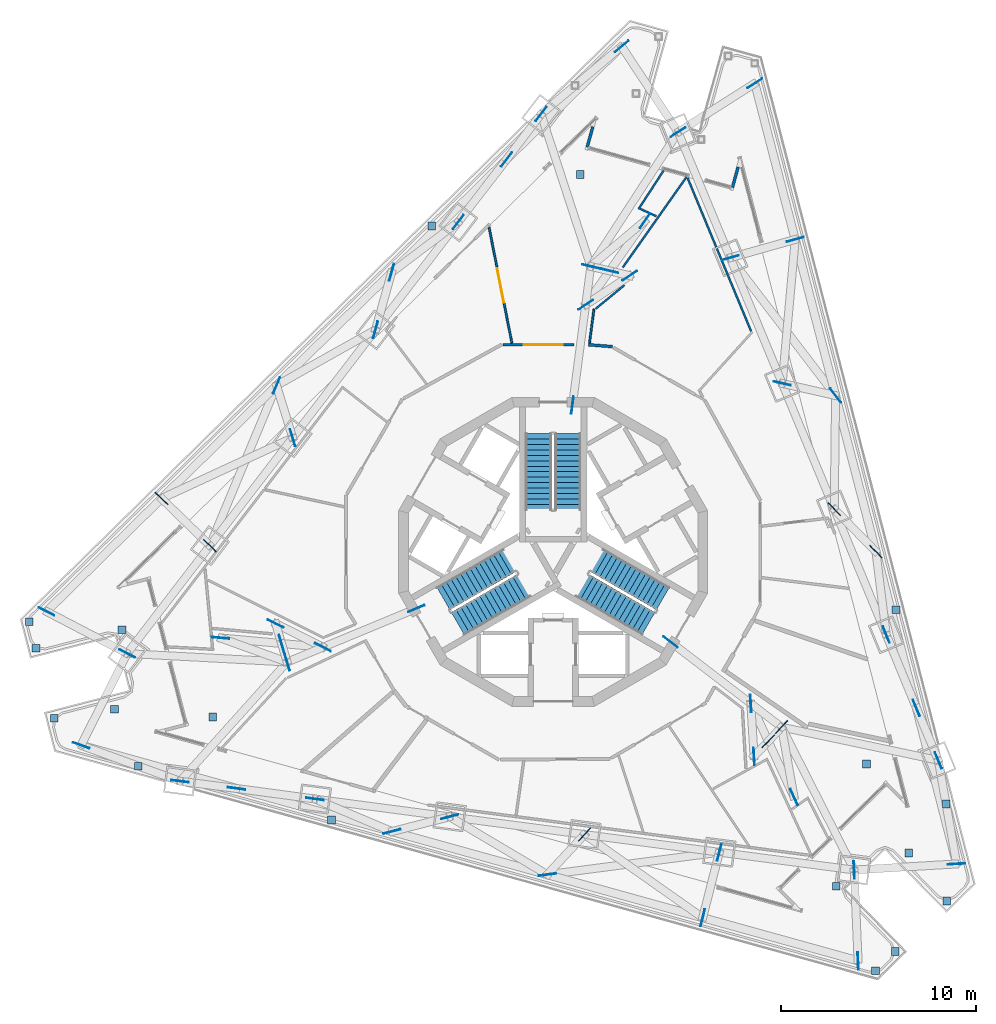
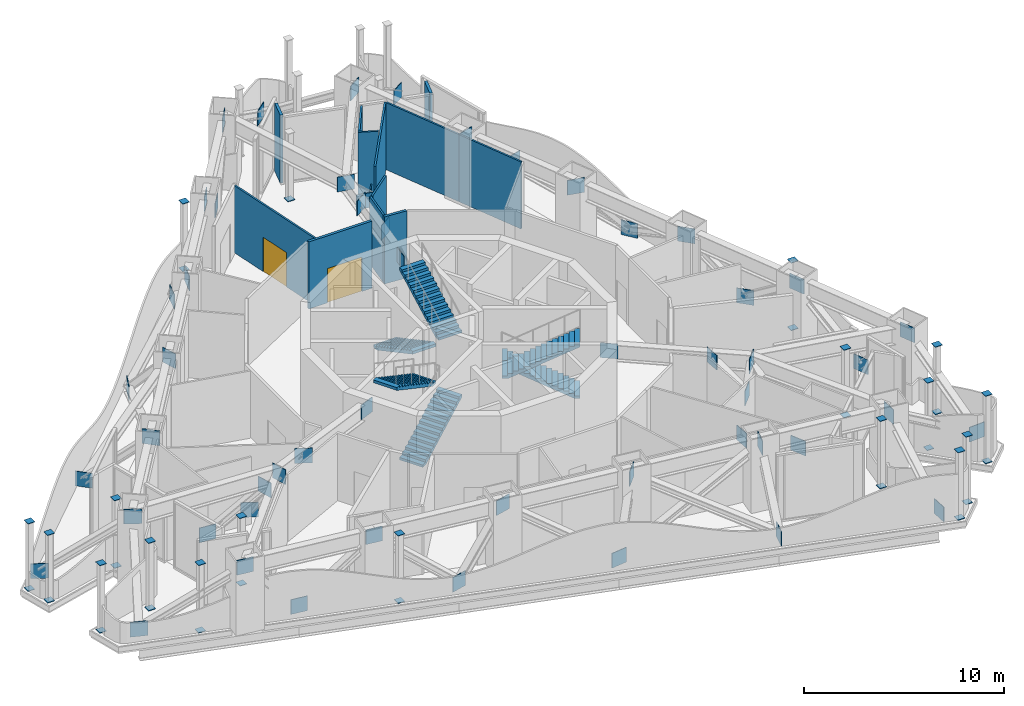
# One storey, part 13 of 22: 89 discrete accessories, 12 walls, 6 stair flights, 2 doors, 2 openings, 3 elements without a shape of their own.
"""IFC4 building model written with IfcOpenShell, lengths in metres."""

from ifc_helpers import new_model, si_unit, direction, frame, frame_2d, origin, origin_2d, place, context, subcontext, project, spatial, polyline, rectangle, outline, extrude, material, layer, layer_set, type_object, element, fill, aggregate, save


model = new_model("IFC4")

# Units and contexts
model_context = context("Model", 3, precision=1e-05, world=origin(), true_north=direction((0.0, 1.0)))
body_context = subcontext(model_context, "Body", "Model", "MODEL_VIEW")
ifc_project = project(units=[si_unit("LENGTHUNIT", "METRE"), si_unit("AREAUNIT", "SQUARE_METRE"), si_unit("VOLUMEUNIT", "CUBIC_METRE"), si_unit("PLANEANGLEUNIT", "RADIAN"), si_unit("MASSUNIT", "GRAM", prefix="KILO")], contexts=[model_context])

# Site, building, storey
site_placement = place(None, origin())
site = spatial("IfcSite", under=ifc_project, at=site_placement, CompositionType="ELEMENT")
building_placement = place(site_placement, origin())
building = spatial("IfcBuilding", under=site, at=building_placement, Name="Trine Commons Tower", CompositionType="ELEMENT")
storey_placement = place(building_placement, frame((0.0, 0.0, 267.300048828125)))
storey = spatial("IfcBuildingStorey", under=building, at=storey_placement, Name="L70", CompositionType="ELEMENT", Elevation=267.300048828125)

# Wall, opening, door
ifc_material_1 = material(Name="Plasterboard on steel stud", Category="steel")
ifc_layer_1 = layer(ifc_material_1, 0.14990234375)
ifc_layer_set_1 = layer_set([ifc_layer_1], Name="Plasterboard on steel stud")
wall_type_1 = type_object("IfcWallType", Name="Compartment wall 150 mm, EI 60", PredefinedType="PARTITIONING", material=ifc_layer_set_1)
wall_1_placement = place(storey_placement, frame((81.066650390625, 73.12060546875, 0.0), z_axis=(0.0, 0.0, 1.0), x_axis=(-1.0, 0.0, 0.0)))
wall_1 = element("IfcWall", 1, at=wall_1_placement, inside=storey, type_object=wall_type_1, Name="Partition A70028", PredefinedType="PARTITIONING", context=body_context, shape_type="SweptSolid", body=[
    extrude(rectangle(XDim=3.632568359375, YDim=0.14990234375, at=frame_2d((1.81640625, 0.0))), origin(), (0.0, 0.0, 1.0), 4.099853515625),
])
opening_1_placement = place(wall_1_placement, frame((0.567138671875, 0.0, 0.0)))
opening_1 = element("IfcOpeningElement", 2, at=opening_1_placement, cuts=wall_1, Name="Opening D-A7009", PredefinedType="OPENING", context=body_context, shape_type="SweptSolid", body=[
    extrude(rectangle(XDim=2.0, YDim=2.10009765625, at=frame_2d((1.0, 1.050048828125))), frame((0.0, 0.0849609375, 0.0), z_axis=(0.0, -1.0, 0.0), x_axis=(1.0, 0.0, 0.0)), (0.0, 0.0, 1.0), 0.169921875),
])
ifc_material_2 = material(Name="Timber fire door set", Category="wood")
door_type_1 = type_object("IfcDoorType", Name="Double swing door 2000x2100, FD30S", OperationType="DOUBLE_DOOR_DOUBLE_SWING", PredefinedType="DOOR", material=ifc_material_2)
door_1_placement = place(opening_1_placement, origin())
door_1 = element("IfcDoor", 3, at=door_1_placement, inside=storey, type_object=door_type_1, Name="Door D-A7009", OperationType="DOUBLE_DOOR_DOUBLE_SWING", OverallHeight=2.10009765625, OverallWidth=2.0, PredefinedType="DOOR", context=body_context, shape_type="SweptSolid", body=[
    extrude(rectangle(XDim=2.0, YDim=2.10009765625, at=frame_2d((1.0, 1.050048828125))), frame((0.0, 0.02490234375, 0.0), z_axis=(0.0, -1.0, 0.0), x_axis=(1.0, 0.0, 0.0)), (0.0, 0.0, 1.0), 0.050048828125),
])
fill(opening_1, door_1)

# Walls
wall_2_placement = place(storey_placement, frame((81.802001953125, 73.12060546875, 0.0), z_axis=(0.0, 0.0, 1.0), x_axis=(0.997044019681, -0.076832433371, 0.0)))
element("IfcWall", 4, at=wall_2_placement, inside=storey, type_object=wall_type_1, Name="Partition A70031", PredefinedType="PARTITIONING", context=body_context, shape_type="SweptSolid", body=[
    extrude(rectangle(XDim=1.236083984375, YDim=0.14990234375, at=frame_2d((0.6181640625, 0.0))), origin(), (0.0, 0.0, 1.0), 4.099853515625),
])
ifc_material_3 = material(Name="Aluminium-framed insulated wall panel", Category="aluminium")
ifc_layer_2 = layer(ifc_material_3, 0.14990234375)
ifc_layer_set_2 = layer_set([ifc_layer_2], Name="Aluminium-framed insulated wall panel")
wall_type_2 = type_object("IfcWallType", Name="Glazed frame wall 150, EI 60", PredefinedType="SOLIDWALL", material=ifc_layer_set_2)
wall_3_placement = place(storey_placement, frame((82.07470703125, 84.444091796875, 0.0), z_axis=(0.0, 0.0, 1.0), x_axis=(-0.267185113528, -0.963645222636, 0.0)))
element("IfcWall", 5, at=wall_3_placement, inside=storey, type_object=wall_type_2, Name="Glazed frame wall L70 R2", PredefinedType="SOLIDWALL", context=body_context, shape_type="SweptSolid", body=[
    extrude(outline(polyline([(0.1494140625, 0.074951171875), (0.1494140625, -0.074951171875), (1.235107421875, -0.074951171875), (1.235107421875, 0.074951171875), (0.1494140625, 0.074951171875)])), origin(), (0.0, 0.0, 1.0), 4.14990234375),
])
wall_4_placement = place(storey_placement, frame((89.164306640625, 81.082275390625, 0.0), z_axis=(0.0, 0.0, 1.0), x_axis=(0.267185113528, 0.963645222636, 0.0)))
element("IfcWall", 6, at=wall_4_placement, inside=storey, type_object=wall_type_2, Name="Glazed frame wall L70 R4", PredefinedType="SOLIDWALL", context=body_context, shape_type="SweptSolid", body=[
    extrude(outline(polyline([(0.110107421875, 0.074951171875), (0.110107421875, -0.074951171875), (1.19580078125, -0.074951171875), (1.19580078125, 0.074951171875), (0.110107421875, 0.074951171875)])), origin(), (0.0, 0.0, 1.0), 4.14990234375),
])

# Wall, opening, door
ifc_layer_3 = layer(ifc_material_1, 0.10009765625)
ifc_layer_set_3 = layer_set([ifc_layer_3], Name="Plasterboard on steel stud")
wall_type_3 = type_object("IfcWallType", Name="Partition wall 100 mm stud, not rated", PredefinedType="PARTITIONING", material=ifc_layer_set_3)
wall_5_placement = place(storey_placement, frame((76.70166015625, 79.20654296875, 0.0), z_axis=(0.0, 0.0, 1.0), x_axis=(0.193690148603, -0.981062753515, 0.0)))
wall_5 = element("IfcWall", 7, at=wall_5_placement, inside=storey, type_object=wall_type_3, Name="Partition A70026", PredefinedType="PARTITIONING", context=body_context, shape_type="SweptSolid", body=[
    extrude(rectangle(XDim=6.116943359375, YDim=0.10009765625, at=frame_2d((3.05859375, 0.0))), origin(), (0.0, 0.0, 1.0), 4.099853515625),
])
opening_2_placement = place(wall_5_placement, frame((2.20166015625, 0.0, 0.0)))
opening_2 = element("IfcOpeningElement", 8, at=opening_2_placement, cuts=wall_5, Name="Opening D-A7007", PredefinedType="OPENING", context=body_context, shape_type="SweptSolid", body=[
    extrude(rectangle(XDim=1.800048828125, YDim=2.10009765625, at=frame_2d((0.89990234375, 1.050048828125))), frame((0.0, 0.06005859375, 0.0), z_axis=(0.0, -1.0, 0.0), x_axis=(1.0, 0.0, 0.0)), (0.0, 0.0, 1.0), 0.1201171875),
])
ifc_material_4 = material(Name="Painted timber", Category="wood")
door_type_2 = type_object("IfcDoorType", Name="Double swing door 1800x2100, not rated", OperationType="DOUBLE_DOOR_DOUBLE_SWING", PredefinedType="DOOR", material=ifc_material_4)
door_2_placement = place(opening_2_placement, origin())
door_2 = element("IfcDoor", 9, at=door_2_placement, inside=storey, type_object=door_type_2, Name="Door D-A7007", OperationType="DOUBLE_DOOR_DOUBLE_SWING", OverallHeight=2.10009765625, OverallWidth=1.800048828125, PredefinedType="DOOR", context=body_context, shape_type="SweptSolid", body=[
    extrude(rectangle(XDim=1.800048828125, YDim=2.10009765625, at=frame_2d((0.89990234375, 1.050048828125))), frame((0.0, 0.02490234375, 0.0), z_axis=(0.0, -1.0, 0.0), x_axis=(1.0, 0.0, 0.0)), (0.0, 0.0, 1.0), 0.050048828125),
])
fill(opening_2, door_2)

# Walls
wall_6_placement = place(storey_placement, frame((81.863037109375, 73.2041015625, 0.0), z_axis=(0.0, 0.0, 1.0), x_axis=(0.13056172967, 0.991440182132, 0.0)))
element("IfcWall", 10, at=wall_6_placement, inside=storey, type_object=wall_type_3, Name="Partition A70032", PredefinedType="PARTITIONING", context=body_context, shape_type="SweptSolid", body=[
    extrude(rectangle(XDim=1.76708984375, YDim=0.10009765625, at=frame_2d((0.883544921875, 0.0))), origin(), (0.0, 0.0, 1.0), 4.099853515625),
])
wall_7_placement = place(storey_placement, frame((82.1787109375, 74.966796875, 0.0), z_axis=(0.0, 0.0, 1.0), x_axis=(0.773609196255, 0.633663010968, 0.0)))
element("IfcWall", 11, at=wall_7_placement, inside=storey, type_object=wall_type_3, Name="Partition A70033", PredefinedType="PARTITIONING", context=body_context, shape_type="SweptSolid", body=[
    extrude(rectangle(XDim=1.90673828125, YDim=0.10009765625, at=frame_2d((0.953369140625, 0.0))), origin(), (0.0, 0.0, 1.0), 4.099853515625),
])
wall_8_placement = place(storey_placement, frame((83.568359375, 77.0830078125, 0.0), z_axis=(0.0, 0.0, 1.0), x_axis=(0.576239377913, 0.817280967197, 0.0)))
element("IfcWall", 12, at=wall_8_placement, inside=storey, type_object=wall_type_3, Name="Partition A70038", PredefinedType="PARTITIONING", context=body_context, shape_type="SweptSolid", body=[
    extrude(rectangle(XDim=5.68115234375, YDim=0.10009765625, at=frame_2d((2.840576171875, 0.0))), origin(), (0.0, 0.0, 1.0), 4.099853515625),
])
wall_9_placement = place(storey_placement, frame((84.358154296875, 80.137451171875, 0.0), z_axis=(0.0, 0.0, 1.0), x_axis=(0.909662531186, -0.415348142354, 0.0)))
element("IfcWall", 13, at=wall_9_placement, inside=storey, type_object=wall_type_3, Name="Partition A70039", PredefinedType="PARTITIONING", context=body_context, shape_type="SweptSolid", body=[
    extrude(rectangle(XDim=1.0234375, YDim=0.10009765625, at=frame_2d((0.51171875, 0.0))), origin(), (0.0, 0.0, 1.0), 4.099853515625),
])
wall_10_placement = place(storey_placement, frame((84.435302734375, 80.16552734375, 0.0), z_axis=(0.0, 0.0, 1.0), x_axis=(0.545476454892, 0.838126146328, 0.0)))
element("IfcWall", 14, at=wall_10_placement, inside=storey, type_object=wall_type_3, Name="Partition A70040", PredefinedType="PARTITIONING", context=body_context, shape_type="SweptSolid", body=[
    extrude(rectangle(XDim=2.25, YDim=0.10009765625, at=frame_2d((1.125, 0.0))), origin(), (0.0, 0.0, 1.0), 4.099853515625),
])
wall_11_placement = place(storey_placement, frame((86.894775390625, 81.672607421875, 0.0), z_axis=(0.0, 0.0, 1.0), x_axis=(0.382699050285, -0.923873063203, 0.0)))
element("IfcWall", 15, at=wall_11_placement, inside=storey, type_object=wall_type_3, Name="Partition A70043", PredefinedType="PARTITIONING", context=body_context, shape_type="SweptSolid", body=[
    extrude(rectangle(XDim=4.615478515625, YDim=0.10009765625, at=frame_2d((2.3076171875, 0.0))), origin(), (0.0, 0.0, 1.0), 4.099853515625),
])
wall_12_placement = place(storey_placement, frame((88.6611328125, 77.408447265625, 0.0), z_axis=(0.0, 0.0, 1.0), x_axis=(0.382684450578, -0.923879110753, 0.0)))
element("IfcWall", 16, at=wall_12_placement, inside=storey, type_object=wall_type_3, Name="Partition A70050", PredefinedType="PARTITIONING", context=body_context, shape_type="SweptSolid", body=[
    extrude(rectangle(XDim=3.88916015625, YDim=0.10009765625, at=frame_2d((1.944580078125, 0.0))), origin(), (0.0, 0.0, 1.0), 4.099853515625),
])

# Stair, stair flights
ifc_material_5 = material(Name="Concrete C50/60", Category="concrete")
stair_type = type_object("IfcStairType", Name="Exit stair, dog-leg, 30 risers of 150 mm", PredefinedType="HALF_TURN_STAIR", material=ifc_material_5)
stair_1_placement = place(storey_placement, origin())
stair_1 = element("IfcStair", 17, at=stair_1_placement, inside=storey, type_object=stair_type, Name="L70 Exit stair ST1D", PredefinedType="HALF_TURN_STAIR")
stair_flight_type = type_object("IfcStairFlightType", Name="Stair flight, 1350 wide, 15 risers of 150 mm", PredefinedType="STRAIGHT", material=ifc_material_5)
stair_flight_1_placement = place(storey_placement, frame((79.25, 68.570556640625, 0.0), z_axis=(0.0, 0.0, 1.0), x_axis=(0.0, -1.0, 0.0)))
stair_flight_1 = element("IfcStairFlight", 18, at=stair_flight_1_placement, type_object=stair_flight_type, Name="ST1D flight 1", NumberOfRisers=15, NumberOfTreads=14, PredefinedType="STRAIGHT", RiserHeight=0.15, TreadLength=0.28, context=body_context, shape_type="SweptSolid", body=[
    extrude(outline(polyline([(0.0, 0.0), (0.0, 0.14990234375), (0.280029296875, 0.14990234375), (0.280029296875, 0.300048828125), (0.56005859375, 0.300048828125), (0.56005859375, 0.449951171875), (0.840087890625, 0.449951171875), (0.840087890625, 0.60009765625), (1.1201171875, 0.60009765625), (1.1201171875, 0.75), (1.39990234375, 0.75), (1.39990234375, 0.89990234375), (1.679931640625, 0.89990234375), (1.679931640625, 1.050048828125), (1.9599609375, 1.050048828125), (1.9599609375, 1.199951171875), (2.239990234375, 1.199951171875), (2.239990234375, 1.35009765625), (2.52001953125, 1.35009765625), (2.52001953125, 1.5), (2.800048828125, 1.5), (2.800048828125, 1.64990234375), (3.080078125, 1.64990234375), (3.080078125, 1.800048828125), (3.360107421875, 1.800048828125), (3.360107421875, 1.949951171875), (3.639892578125, 1.949951171875), (3.639892578125, 2.10009765625), (3.919921875, 2.10009765625), (3.919921875, 2.25), (3.919921875, 1.929931640625), (0.3173828125, 0.0), (0.0, 0.0)])), frame((0.0, 0.675048828125, 0.0), z_axis=(0.0, -1.0, 0.0), x_axis=(1.0, 0.0, 0.0)), (0.0, 0.0, 1.0), 1.35009765625),
])
stair_flight_2_placement = place(storey_placement, frame((80.75, 64.650634765625, 2.25), z_axis=(0.0, 0.0, 1.0), x_axis=(0.0, 1.0, 0.0)))
stair_flight_2 = element("IfcStairFlight", 19, at=stair_flight_2_placement, type_object=stair_flight_type, Name="ST1D flight 2", NumberOfRisers=15, NumberOfTreads=14, PredefinedType="STRAIGHT", RiserHeight=0.15, TreadLength=0.28, context=body_context, shape_type="SweptSolid", body=[
    extrude(outline(polyline([(0.0, 0.0), (0.0, 0.14990234375), (0.280029296875, 0.14990234375), (0.280029296875, 0.300048828125), (0.56005859375, 0.300048828125), (0.56005859375, 0.449951171875), (0.840087890625, 0.449951171875), (0.840087890625, 0.60009765625), (1.1201171875, 0.60009765625), (1.1201171875, 0.75), (1.39990234375, 0.75), (1.39990234375, 0.89990234375), (1.679931640625, 0.89990234375), (1.679931640625, 1.050048828125), (1.9599609375, 1.050048828125), (1.9599609375, 1.199951171875), (2.239990234375, 1.199951171875), (2.239990234375, 1.35009765625), (2.52001953125, 1.35009765625), (2.52001953125, 1.5), (2.800048828125, 1.5), (2.800048828125, 1.64990234375), (3.080078125, 1.64990234375), (3.080078125, 1.800048828125), (3.360107421875, 1.800048828125), (3.360107421875, 1.949951171875), (3.639892578125, 1.949951171875), (3.639892578125, 2.10009765625), (3.919921875, 2.10009765625), (3.919921875, 2.25), (3.919921875, 1.929931640625), (0.3173828125, 0.0), (0.0, 0.0)])), frame((0.0, 0.675048828125, 0.0), z_axis=(0.0, -1.0, 0.0), x_axis=(1.0, 0.0, 0.0)), (0.0, 0.0, 1.0), 1.35009765625),
])
aggregate(stair_1, [stair_flight_1, stair_flight_2])

stair_2_placement = place(storey_placement, origin())
stair_2 = element("IfcStair", 20, at=stair_2_placement, inside=storey, type_object=stair_type, Name="L70 Exit stair ST2D", PredefinedType="HALF_TURN_STAIR")
stair_flight_3_placement = place(storey_placement, frame((75.11767578125, 58.815185546875, 0.0), z_axis=(0.0, 0.0, 1.0), x_axis=(0.866025403784, 0.5, 0.0)))
stair_flight_3 = element("IfcStairFlight", 21, at=stair_flight_3_placement, type_object=stair_flight_type, Name="ST2D flight 1", NumberOfRisers=15, NumberOfTreads=14, PredefinedType="STRAIGHT", RiserHeight=0.15, TreadLength=0.28, context=body_context, shape_type="SweptSolid", body=[
    extrude(outline(polyline([(0.0, 0.0), (0.0, 0.14990234375), (0.280029296875, 0.14990234375), (0.280029296875, 0.300048828125), (0.56005859375, 0.300048828125), (0.56005859375, 0.449951171875), (0.840087890625, 0.449951171875), (0.840087890625, 0.60009765625), (1.1201171875, 0.60009765625), (1.1201171875, 0.75), (1.39990234375, 0.75), (1.39990234375, 0.89990234375), (1.679931640625, 0.89990234375), (1.679931640625, 1.050048828125), (1.9599609375, 1.050048828125), (1.9599609375, 1.199951171875), (2.239990234375, 1.199951171875), (2.239990234375, 1.35009765625), (2.52001953125, 1.35009765625), (2.52001953125, 1.5), (2.800048828125, 1.5), (2.800048828125, 1.64990234375), (3.080078125, 1.64990234375), (3.080078125, 1.800048828125), (3.360107421875, 1.800048828125), (3.360107421875, 1.949951171875), (3.639892578125, 1.949951171875), (3.639892578125, 2.10009765625), (3.919921875, 2.10009765625), (3.919921875, 2.25), (3.919921875, 1.929931640625), (0.3173828125, 0.0), (0.0, 0.0)])), frame((0.0, 0.675048828125, 0.0), z_axis=(0.0, -1.0, 0.0), x_axis=(1.0, 0.0, 0.0)), (0.0, 0.0, 1.0), 1.35009765625),
])
stair_flight_4_placement = place(storey_placement, frame((77.762451171875, 62.07421875, 2.25), z_axis=(0.0, 0.0, 1.0), x_axis=(-0.866025403784, -0.5, 0.0)))
stair_flight_4 = element("IfcStairFlight", 22, at=stair_flight_4_placement, type_object=stair_flight_type, Name="ST2D flight 2", NumberOfRisers=15, NumberOfTreads=14, PredefinedType="STRAIGHT", RiserHeight=0.15, TreadLength=0.28, context=body_context, shape_type="SweptSolid", body=[
    extrude(outline(polyline([(0.0, 0.0), (0.0, 0.14990234375), (0.280029296875, 0.14990234375), (0.280029296875, 0.300048828125), (0.56005859375, 0.300048828125), (0.56005859375, 0.449951171875), (0.840087890625, 0.449951171875), (0.840087890625, 0.60009765625), (1.1201171875, 0.60009765625), (1.1201171875, 0.75), (1.39990234375, 0.75), (1.39990234375, 0.89990234375), (1.679931640625, 0.89990234375), (1.679931640625, 1.050048828125), (1.9599609375, 1.050048828125), (1.9599609375, 1.199951171875), (2.239990234375, 1.199951171875), (2.239990234375, 1.35009765625), (2.52001953125, 1.35009765625), (2.52001953125, 1.5), (2.800048828125, 1.5), (2.800048828125, 1.64990234375), (3.080078125, 1.64990234375), (3.080078125, 1.800048828125), (3.360107421875, 1.800048828125), (3.360107421875, 1.949951171875), (3.639892578125, 1.949951171875), (3.639892578125, 2.10009765625), (3.919921875, 2.10009765625), (3.919921875, 2.25), (3.919921875, 1.929931640625), (0.3173828125, 0.0), (0.0, 0.0)])), frame((0.0, 0.675048828125, 0.0), z_axis=(0.0, -1.0, 0.0), x_axis=(1.0, 0.0, 0.0)), (0.0, 0.0, 1.0), 1.35009765625),
])
aggregate(stair_2, [stair_flight_3, stair_flight_4])

stair_3_placement = place(storey_placement, origin())
stair_3 = element("IfcStair", 23, at=stair_3_placement, inside=storey, type_object=stair_type, Name="L70 Exit stair ST3D", PredefinedType="HALF_TURN_STAIR")
stair_flight_5_placement = place(storey_placement, frame((85.63232421875, 60.1142578125, 0.0), z_axis=(0.0, 0.0, 1.0), x_axis=(-0.866025403784, 0.5, 0.0)))
stair_flight_5 = element("IfcStairFlight", 24, at=stair_flight_5_placement, type_object=stair_flight_type, Name="ST3D flight 1", NumberOfRisers=15, NumberOfTreads=14, PredefinedType="STRAIGHT", RiserHeight=0.15, TreadLength=0.28, context=body_context, shape_type="SweptSolid", body=[
    extrude(outline(polyline([(0.0, 0.0), (0.0, 0.14990234375), (0.280029296875, 0.14990234375), (0.280029296875, 0.300048828125), (0.56005859375, 0.300048828125), (0.56005859375, 0.449951171875), (0.840087890625, 0.449951171875), (0.840087890625, 0.60009765625), (1.1201171875, 0.60009765625), (1.1201171875, 0.75), (1.39990234375, 0.75), (1.39990234375, 0.89990234375), (1.679931640625, 0.89990234375), (1.679931640625, 1.050048828125), (1.9599609375, 1.050048828125), (1.9599609375, 1.199951171875), (2.239990234375, 1.199951171875), (2.239990234375, 1.35009765625), (2.52001953125, 1.35009765625), (2.52001953125, 1.5), (2.800048828125, 1.5), (2.800048828125, 1.64990234375), (3.080078125, 1.64990234375), (3.080078125, 1.800048828125), (3.360107421875, 1.800048828125), (3.360107421875, 1.949951171875), (3.639892578125, 1.949951171875), (3.639892578125, 2.10009765625), (3.919921875, 2.10009765625), (3.919921875, 2.25), (3.919921875, 1.929931640625), (0.3173828125, 0.0), (0.0, 0.0)])), frame((0.0, 0.675048828125, 0.0), z_axis=(0.0, -1.0, 0.0), x_axis=(1.0, 0.0, 0.0)), (0.0, 0.0, 1.0), 1.35009765625),
])
stair_flight_6_placement = place(storey_placement, frame((81.487548828125, 60.775146484375, 2.25), z_axis=(0.0, 0.0, 1.0), x_axis=(0.866025403784, -0.5, 0.0)))
stair_flight_6 = element("IfcStairFlight", 25, at=stair_flight_6_placement, type_object=stair_flight_type, Name="ST3D flight 2", NumberOfRisers=15, NumberOfTreads=14, PredefinedType="STRAIGHT", RiserHeight=0.15, TreadLength=0.28, context=body_context, shape_type="SweptSolid", body=[
    extrude(outline(polyline([(0.0, 0.0), (0.0, 0.14990234375), (0.280029296875, 0.14990234375), (0.280029296875, 0.300048828125), (0.56005859375, 0.300048828125), (0.56005859375, 0.449951171875), (0.840087890625, 0.449951171875), (0.840087890625, 0.60009765625), (1.1201171875, 0.60009765625), (1.1201171875, 0.75), (1.39990234375, 0.75), (1.39990234375, 0.89990234375), (1.679931640625, 0.89990234375), (1.679931640625, 1.050048828125), (1.9599609375, 1.050048828125), (1.9599609375, 1.199951171875), (2.239990234375, 1.199951171875), (2.239990234375, 1.35009765625), (2.52001953125, 1.35009765625), (2.52001953125, 1.5), (2.800048828125, 1.5), (2.800048828125, 1.64990234375), (3.080078125, 1.64990234375), (3.080078125, 1.800048828125), (3.360107421875, 1.800048828125), (3.360107421875, 1.949951171875), (3.639892578125, 1.949951171875), (3.639892578125, 2.10009765625), (3.919921875, 2.10009765625), (3.919921875, 2.25), (3.919921875, 1.929931640625), (0.3173828125, 0.0), (0.0, 0.0)])), frame((0.0, 0.675048828125, 0.0), z_axis=(0.0, -1.0, 0.0), x_axis=(1.0, 0.0, 0.0)), (0.0, 0.0, 1.0), 1.35009765625),
])
aggregate(stair_3, [stair_flight_5, stair_flight_6])

# Discrete accessories
ifc_material_6 = material(Name="Structural steel ASTM A572 Gr50", Category="steel")
for number, where, z_axis, x_axis, name in (
    (26, (54.02197265625, 59.442626953125, 0.013671875), (0.0, 0.0, 1.0), (0.886865726803, -0.462027253116, 0.0), "Gusset plate GP7-01"),
    (27, (55.796875, 52.57958984375, 0.013671875), (0.0, 0.0, 1.0), (0.940056220189, -0.341019505136, 0.0), "Gusset plate GP7-02"),
    (28, (59.91943359375, 65.23828125, 0.013671875), (0.0, 0.0, 1.0), (0.716301943425, -0.697790459842, 0.0), "Gusset plate GP7-03"),
    (29, (62.9375, 58.08740234375, 0.013671875), (0.0, 0.0, 1.0), (0.995904936862, -0.090406618864, 0.0), "Gusset plate GP7-04"),
    (30, (63.764892578125, 50.369873046875, 0.013671875), (0.0, 0.0, 1.0), (0.991069517582, -0.133346208498, 0.0), "Gusset plate GP7-05"),
    (31, (65.77099609375, 58.820068359375, 0.013671875), (0.0, 0.0, 1.0), (0.89470840597, -0.446650722921, 0.0), "Gusset plate GP7-06"),
    (32, (65.817138671875, 71.033935546875, 0.013671875), (0.0, 0.0, 1.0), (-0.384005268657, -0.923330901489, 0.0), "Gusset plate GP7-07"),
    (33, (71.71484375, 76.82958984375, 0.013671875), (0.0, 0.0, 1.0), (-0.269440902327, -0.963016926203, 0.0), "Gusset plate GP7-08"),
    (34, (71.73291015625, 48.16015625, 0.013671875), (0.0, 0.0, 1.0), (0.96871757353, 0.248165796868, 0.0), "Gusset plate GP7-09"),
    (35, (77.612548828125, 82.625244140625, 0.013671875), (0.0, 0.0, 1.0), (-0.611015962848, -0.791618274893, 0.0), "Gusset plate GP7-10"),
    (36, (79.70068359375, 45.950439453125, 0.013671875), (0.0, 0.0, 1.0), (0.991630651117, 0.1291071329, 0.0), "Gusset plate GP7-11"),
    (37, (83.51025390625, 88.4208984375, 0.013671875), (0.0, 0.0, 1.0), (-0.7653708976, -0.643589456957, 0.0), "Gusset plate GP7-12"),
    (38, (83.927734375, 76.66259765625, 0.013671875), (0.0, 0.0, 1.0), (-0.834165075654, -0.551514847089, 0.0), "Gusset plate GP7-13"),
    (39, (84.709716796875, 79.48291015625, 0.013671875), (0.0, 0.0, 1.0), (-0.576246897038, -0.817275665644, 0.0), "Gusset plate GP7-14"),
    (40, (87.668701171875, 43.74072265625, 0.013671875), (0.0, 0.0, 1.0), (0.246153293029, 0.969230909707, 0.0), "Gusset plate GP7-15"),
    (41, (90.301513671875, 52.01708984375, 0.013671875), (0.0, 0.0, 1.0), (-0.060543330317, 0.99816557001, 0.0), "Gusset plate GP7-16"),
    (42, (90.34130859375, 86.5263671875, 0.013671875), (0.0, 0.0, 1.0), (-0.84355082869, -0.537049345421, 0.0), "Gusset plate GP7-17"),
    (43, (92.352783203125, 49.9296875, 0.013671875), (0.0, 0.0, 1.0), (-0.419658039824, 0.907682284509, 0.0), "Gusset plate GP7-18"),
    (44, (92.41162109375, 78.52099609375, 0.013671875), (0.0, 0.0, 1.0), (-0.962464710926, -0.271406853674, 0.0), "Gusset plate GP7-19"),
    (45, (94.48193359375, 70.515625, 0.013671875), (0.0, 0.0, 1.0), (-0.60762538246, 0.794223768588, 0.0), "Gusset plate GP7-20"),
    (46, (95.63671875, 41.531005859375, 0.013671875), (0.0, 0.0, 1.0), (-0.043322961875, 0.999061119739, 0.0), "Gusset plate GP7-21"),
    (47, (96.55224609375, 62.51025390625, 0.013671875), (0.0, 0.0, 1.0), (-0.69926419459, 0.714863333907, 0.0), "Gusset plate GP7-22"),
    (48, (98.622802734375, 54.5048828125, 0.013671875), (0.0, 0.0, 1.0), (-0.380069698351, 0.924957850064, 0.0), "Gusset plate GP7-23"),
    (49, (100.693115234375, 46.499755859375, 0.013671875), (0.0, 0.0, 1.0), (-0.998255320087, -0.059045032971, 0.0), "Gusset plate GP7-24"),
    (50, (66.07373046875, 57.802490234375, 1.91455078125), (0.0, 0.0, 1.0), (0.285320376901, -0.958432200276, 0.0), "Gusset plate GP7-25"),
    (51, (82.89501953125, 76.9091796875, 1.91455078125), (0.0, 0.0, 1.0), (-0.972690872829, 0.232104428901, 0.0), "Gusset plate GP7-26"),
    (52, (91.031005859375, 52.788330078125, 1.91455078125), (0.0, 0.0, 1.0), (0.687341091345, 0.726334787924, 0.0), "Gusset plate GP7-27"),
    (53, (58.156494140625, 57.288818359375, 3.199951171875), (0.0, 0.0, 1.0), (0.886865726803, -0.462027253116, 0.0), "Gusset plate GP7-28"),
    (54, (60.869384765625, 50.7392578125, 3.199951171875), (0.0, 0.0, 1.0), (-0.991954210241, 0.126597175266, 0.0), "Gusset plate GP7-29"),
    (55, (62.4013671875, 62.820556640625, 3.199951171875), (0.0, 0.0, 1.0), (0.716301943425, -0.697790459842, 0.0), "Gusset plate GP7-30"),
    (56, (66.361572265625, 56.850830078125, 3.199951171875), (0.0, 0.0, 1.0), (0.289332533466, -0.957228648275, 0.0), "Gusset plate GP7-31"),
    (57, (66.64599609375, 68.352294921875, 3.199951171875), (0.0, 0.0, 1.0), (0.295324552917, -0.95539698997, 0.0), "Gusset plate GP7-32"),
    (58, (67.782470703125, 49.8291015625, 3.199951171875), (0.0, 0.0, 1.0), (0.991069517582, -0.133346208498, 0.0), "Gusset plate GP7-33"),
    (59, (68.194580078125, 57.610107421875, 3.199951171875), (0.0, 0.0, 1.0), (0.89470840597, -0.446650722921, 0.0), "Gusset plate GP7-34"),
    (60, (70.890869140625, 73.88427734375, 3.199951171875), (0.0, 0.0, 1.0), (-0.269440902327, -0.963016926203, 0.0), "Gusset plate GP7-35"),
    (61, (72.98876953125, 59.595703125, 3.199951171875), (0.0, 0.0, 1.0), (-0.923879532511, -0.382683432365, 0.0), "Gusset plate GP7-36"),
    (62, (74.695556640625, 48.919189453125, 3.199951171875), (0.0, 0.0, 1.0), (0.96871757353, 0.248165796868, 0.0), "Gusset plate GP7-37"),
    (63, (75.135498046875, 79.416015625, 3.199951171875), (0.0, 0.0, 1.0), (-0.611015962848, -0.791618274893, 0.0), "Gusset plate GP7-38"),
    (64, (79.380126953125, 84.947998046875, 3.199951171875), (0.0, 0.0, 1.0), (0.605613474948, 0.795758957826, 0.0), "Gusset plate GP7-39"),
    (65, (80.990478515625, 70.02392578125, 3.199951171875), (0.0, 0.0, 1.0), (0.130543496177, 0.991442583111, 0.0), "Gusset plate GP7-40"),
    (66, (81.608642578125, 48.009033203125, 3.199951171875), (0.0, 0.0, 1.0), (0.679748588692, 0.733445196433, 0.0), "Gusset plate GP7-41"),
    (67, (81.66796875, 75.168701171875, 3.199951171875), (0.0, 0.0, 1.0), (-0.834165075654, -0.551514847089, 0.0), "Gusset plate GP7-42"),
    (68, (81.927001953125, 77.135986328125, 3.199951171875), (0.0, 0.0, 1.0), (-0.973642632504, 0.228078986692, 0.0), "Gusset plate GP7-43"),
    (69, (86.020751953125, 57.880126953125, 3.199951171875), (0.0, 0.0, 1.0), (0.793353340291, -0.608761429009, 0.0), "Gusset plate GP7-44"),
    (70, (86.40869140625, 84.022705078125, 3.199951171875), (0.0, 0.0, 1.0), (-0.84355082869, -0.537049345421, 0.0), "Gusset plate GP7-45"),
    (71, (88.521728515625, 47.098876953125, 3.199951171875), (0.0, 0.0, 1.0), (0.246153293029, 0.969230909707, 0.0), "Gusset plate GP7-46"),
    (72, (89.076904296875, 77.58056640625, 3.199951171875), (0.0, 0.0, 1.0), (-0.962464710926, -0.271406853674, 0.0), "Gusset plate GP7-47"),
    (73, (90.137451171875, 54.72119140625, 3.199951171875), (0.0, 0.0, 1.0), (-0.060543330317, 0.99816557001, 0.0), "Gusset plate GP7-48"),
    (74, (91.711669921875, 53.513427734375, 3.199951171875), (0.0, 0.0, 1.0), (0.684330786454, 0.729171704546, 0.0), "Gusset plate GP7-49"),
    (75, (91.745361328125, 71.138671875, 3.199951171875), (0.0, 0.0, 1.0), (-0.975052592713, 0.221973965689, 0.0), "Gusset plate GP7-50"),
    (76, (94.41357421875, 64.69677734375, 3.199951171875), (0.0, 0.0, 1.0), (-0.69926419459, 0.714863333907, 0.0), "Gusset plate GP7-51"),
    (77, (95.434814453125, 46.188720703125, 3.199951171875), (0.0, 0.0, 1.0), (-0.043322961875, 0.999061119739, 0.0), "Gusset plate GP7-52"),
    (78, (97.081787109375, 58.254638671875, 3.199951171875), (0.0, 0.0, 1.0), (-0.380069698351, 0.924957850064, 0.0), "Gusset plate GP7-53"),
    (79, (99.750244140625, 51.812744140625, 3.199951171875), (0.0, 0.0, 1.0), (0.386324637082, -0.92236287587, 0.0), "Gusset plate GP7-54"),
):
    element("IfcDiscreteAccessory", number, at=place(storey_placement, frame(where, z_axis=z_axis, x_axis=x_axis)), inside=storey, material=ifc_material_6, Name=name, PredefinedType="BRACKET", context=body_context, shape_type="SweptSolid", body=[
        extrude(rectangle(XDim=0.89990234375, YDim=0.0400390625, at=origin_2d()), origin(), (0.0, 0.0, 1.0), 0.89990234375),
    ])
for number, where, z_axis, x_axis, name in (
    (80, (54.414794921875, 53.972412109375, 0.0), (0.0, 0.0, 1.0), (1.0, 0.0, 0.0), "Post base plate SP7-11"),
    (81, (54.414794921875, 53.972412109375, 4.1201171875), (0.0, 0.0, 1.0), (1.0, 0.0, 0.0), "Post cap plate SP7-11"),
    (82, (62.5498046875, 54.027099609375, 0.0), (0.0, 0.0, 1.0), (1.0, 0.0, 0.0), "Post base plate SP7-12"),
    (83, (62.5498046875, 54.027099609375, 4.1201171875), (0.0, 0.0, 1.0), (1.0, 0.0, 0.0), "Post cap plate SP7-12"),
    (84, (58.722412109375, 51.5087890625, 0.0), (0.0, 0.0, 1.0), (1.0, 0.0, 0.0), "Post base plate SP7-13"),
    (85, (58.722412109375, 51.5087890625, 4.1201171875), (0.0, 0.0, 1.0), (1.0, 0.0, 0.0), "Post cap plate SP7-13"),
    (86, (57.51220703125, 54.429931640625, 0.0), (0.0, 0.0, 1.0), (1.0, 0.0, 0.0), "Post base plate SP7-14"),
    (87, (57.51220703125, 54.429931640625, 4.1201171875), (0.0, 0.0, 1.0), (1.0, 0.0, 0.0), "Post cap plate SP7-14"),
    (88, (73.7783203125, 79.207763671875, 0.0), (0.0, 0.0, 1.0), (1.0, 0.0, 0.0), "Post base plate SP7-21"),
    (89, (73.7783203125, 79.207763671875, 4.1201171875), (0.0, 0.0, 1.0), (1.0, 0.0, 0.0), "Post cap plate SP7-21"),
    (90, (53.48828125, 57.554443359375, 0.0), (0.0, 0.0, 1.0), (1.0, 0.0, 0.0), "Post base plate SP7-22"),
    (91, (53.48828125, 57.554443359375, 4.1201171875), (0.0, 0.0, 1.0), (1.0, 0.0, 0.0), "Post cap plate SP7-22"),
    (92, (57.89111328125, 58.503173828125, 0.0), (0.0, 0.0, 1.0), (1.0, 0.0, 0.0), "Post base plate SP7-23"),
    (93, (57.89111328125, 58.503173828125, 4.1201171875), (0.0, 0.0, 1.0), (1.0, 0.0, 0.0), "Post cap plate SP7-23"),
    (94, (53.135009765625, 58.921630859375, 0.0), (0.0, 0.0, 1.0), (1.0, 0.0, 0.0), "Post base plate SP7-24"),
    (95, (53.135009765625, 58.921630859375, 4.1201171875), (0.0, 0.0, 1.0), (1.0, 0.0, 0.0), "Post cap plate SP7-24"),
    (96, (81.387451171875, 81.8486328125, 0.0), (0.0, 0.0, 1.0), (1.0, 0.0, 0.0), "Post base plate SP7-32"),
    (97, (68.6416015625, 48.7578125, 0.0), (0.0, 0.0, 1.0), (1.0, 0.0, 0.0), "Post base plate SP7-41"),
    (98, (68.6416015625, 48.7578125, 4.1201171875), (0.0, 0.0, 1.0), (1.0, 0.0, 0.0), "Post cap plate SP7-41"),
    (99, (97.538818359375, 42.012939453125, 0.0), (0.0, 0.0, 1.0), (1.0, 0.0, 0.0), "Post base plate SP7-42"),
    (100, (97.538818359375, 42.012939453125, 4.1201171875), (0.0, 0.0, 1.0), (1.0, 0.0, 0.0), "Post cap plate SP7-42"),
    (101, (94.515869140625, 45.3515625, 0.0), (0.0, 0.0, 1.0), (1.0, 0.0, 0.0), "Post base plate SP7-43"),
    (102, (94.515869140625, 45.3515625, 4.1201171875), (0.0, 0.0, 1.0), (1.0, 0.0, 0.0), "Post cap plate SP7-43"),
    (103, (96.531494140625, 41.023193359375, 0.0), (0.0, 0.0, 1.0), (1.0, 0.0, 0.0), "Post base plate SP7-44"),
    (104, (96.531494140625, 41.023193359375, 4.1201171875), (0.0, 0.0, 1.0), (1.0, 0.0, 0.0), "Post cap plate SP7-44"),
    (105, (97.580078125, 59.5341796875, 0.0), (0.0, 0.0, 1.0), (1.0, 0.0, 0.0), "Post base plate SP7-51"),
    (106, (97.580078125, 59.5341796875, 4.1201171875), (0.0, 0.0, 1.0), (1.0, 0.0, 0.0), "Post cap plate SP7-51"),
    (107, (100.177734375, 44.6064453125, 0.0), (0.0, 0.0, 1.0), (1.0, 0.0, 0.0), "Post base plate SP7-61"),
    (108, (100.177734375, 44.6064453125, 4.1201171875), (0.0, 0.0, 1.0), (1.0, 0.0, 0.0), "Post cap plate SP7-61"),
    (109, (96.062744140625, 51.624267578125, 0.0), (0.0, 0.0, 1.0), (1.0, 0.0, 0.0), "Post base plate SP7-62"),
    (110, (96.062744140625, 51.624267578125, 4.1201171875), (0.0, 0.0, 1.0), (1.0, 0.0, 0.0), "Post cap plate SP7-62"),
    (111, (100.157470703125, 49.568603515625, 0.0), (0.0, 0.0, 1.0), (1.0, 0.0, 0.0), "Post base plate SP7-63"),
    (112, (100.157470703125, 49.568603515625, 4.1201171875), (0.0, 0.0, 1.0), (1.0, 0.0, 0.0), "Post cap plate SP7-63"),
    (113, (98.232666015625, 47.06005859375, 0.0), (0.0, 0.0, 1.0), (1.0, 0.0, 0.0), "Post base plate SP7-64"),
    (114, (98.232666015625, 47.06005859375, 4.1201171875), (0.0, 0.0, 1.0), (1.0, 0.0, 0.0), "Post cap plate SP7-64"),
):
    element("IfcDiscreteAccessory", number, at=place(storey_placement, frame(where, z_axis=z_axis, x_axis=x_axis)), inside=storey, material=ifc_material_6, Name=name, PredefinedType="BRACKET", context=body_context, shape_type="SweptSolid", body=[
        extrude(rectangle(XDim=0.39990234375, YDim=0.39990234375, at=origin_2d()), origin(), (0.0, 0.0, 1.0), 0.030029296875),
    ])

save(model, "model.ifc")
